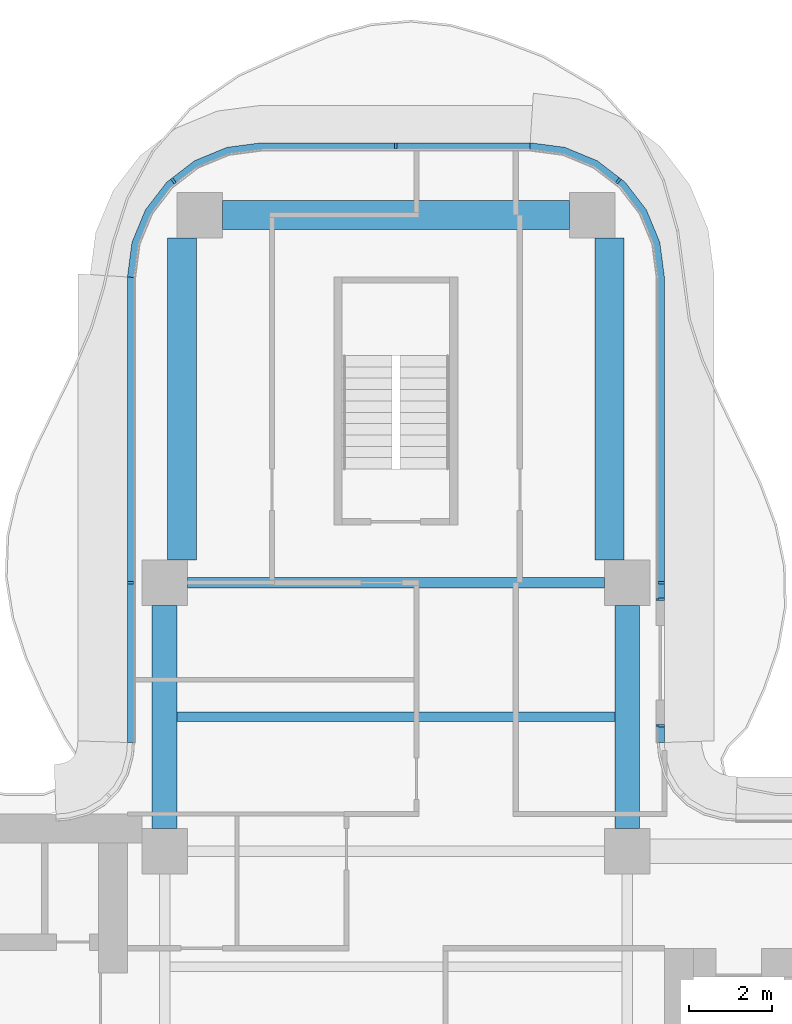
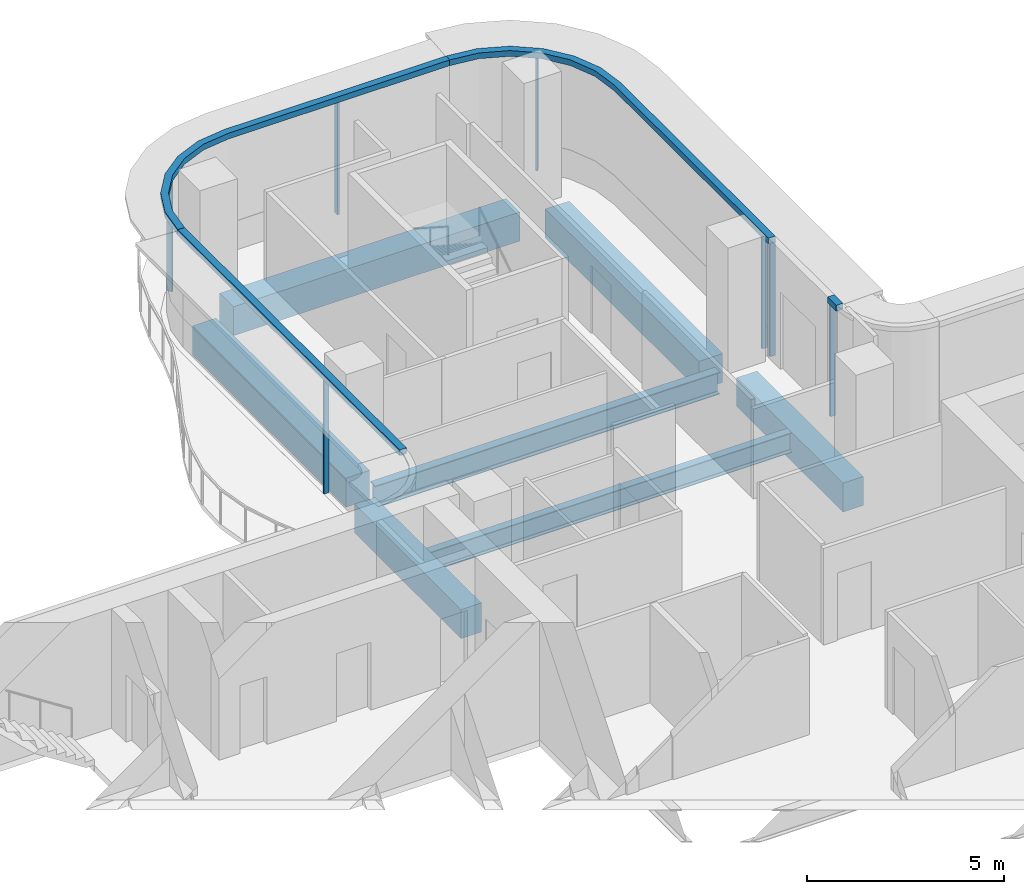
# One storey, part 7 of 16: 11 members, 7 beams, 4 elements without a shape of their own.
"""IFC4 building model written with IfcOpenShell, lengths in metres."""

import ifcopenshell
import ifcopenshell.guid

model = None  # the IFC model being written
_history = None  # IfcOwnerHistory: only IFC2X3 demands one
_inside = {}  # id of a spatial element -> (the spatial element, [elements in it])
_under = {}  # id of a project, library or spatial element -> (it, [spatial elements below it])
_declared = {}  # id of a project -> (the project, [libraries it declares])
_typed = {}  # id of a type object -> (the type object, [elements of that type])
_made_of = {}  # id of a material, layer set ... -> (it, [elements and type objects made of it])


def new_model(schema):
    """Start an empty IFC model of exactly this schema.

    Asked for "IFC4X3", IfcOpenShell would pick the latest addendum, in which some entities
    have other attributes; the version numbers below select the first issue.
    IFC2X3 requires an IfcOwnerHistory on every rooted entity: one is made here for all.
    """
    global model, _history
    if schema == "IFC4X3":
        model = ifcopenshell.file(schema_version=(4, 3, 0, 0))
    else:
        model = ifcopenshell.file(schema=schema)
    _inside.clear()
    _under.clear()
    _declared.clear()
    _typed.clear()
    _made_of.clear()
    _history = None
    if model.schema == "IFC2X3":
        org = make("IfcOrganization", Name="unknown")
        user = make(
            "IfcPersonAndOrganization",
            ThePerson=make("IfcPerson", FamilyName="unknown"),
            TheOrganization=org,
        )
        app = make(
            "IfcApplication",
            ApplicationDeveloper=org,
            Version="unknown",
            ApplicationFullName="unknown",
            ApplicationIdentifier="unknown",
        )
        _history = make(
            "IfcOwnerHistory",
            OwningUser=user,
            OwningApplication=app,
            ChangeAction="ADDED",
            CreationDate=0,
        )
    return model


def make(cls, **values):
    """One entity of the class cls with the attributes given. An attribute that is None is left unset."""
    return model.create_entity(
        cls, **{name: value for name, value in values.items() if value is not None}
    )


def rooted(cls, **values):
    """An entity with a GlobalId (a new one), such as an element, a storey or a relation."""
    return make(cls, GlobalId=ifcopenshell.guid.new(), OwnerHistory=_history, **values)


def si_unit(unit_type, name, prefix=None):
    """IfcSIUnit, for example si_unit("LENGTHUNIT", "METRE", prefix="MILLI")."""
    return make("IfcSIUnit", UnitType=unit_type, Prefix=prefix, Name=name)


def assignment(units):
    """IfcUnitAssignment: the units of a project."""
    return None if units is None else make("IfcUnitAssignment", Units=units)


def point(xyz):
    """IfcCartesianPoint."""
    return None if xyz is None else make("IfcCartesianPoint", Coordinates=xyz)


def direction(xyz):
    """IfcDirection."""
    return None if xyz is None else make("IfcDirection", DirectionRatios=xyz)


def frame(location, z_axis=None, x_axis=None):
    """IfcAxis2Placement3D, a coordinate frame: its origin and axes. An axis left out is left unset."""
    return make(
        "IfcAxis2Placement3D",
        Location=point(location),
        Axis=direction(z_axis),
        RefDirection=direction(x_axis),
    )


def frame_2d(location, x_axis=None):
    """IfcAxis2Placement2D, a coordinate frame in the plane: its origin and x axis."""
    return make(
        "IfcAxis2Placement2D", Location=point(location), RefDirection=direction(x_axis)
    )


def origin():
    """The frame at (0, 0, 0) with its axes left unset."""
    return frame((0.0, 0.0, 0.0))


def origin_2d():
    """The frame at (0, 0) in the plane with its x axis left unset."""
    return frame_2d((0.0, 0.0))


def place(relative_to, where):
    """IfcLocalPlacement: puts the frame where relative to a parent placement (None: the world)."""
    return make(
        "IfcLocalPlacement", PlacementRelTo=relative_to, RelativePlacement=where
    )


def context(
    kind, dimensions, precision=None, world=None, true_north=None, identifier=None
):
    """IfcGeometricRepresentationContext, for example the 3D "Model" context."""
    return make(
        "IfcGeometricRepresentationContext",
        ContextIdentifier=identifier,
        ContextType=kind,
        CoordinateSpaceDimension=dimensions,
        Precision=precision,
        WorldCoordinateSystem=world,
        TrueNorth=true_north,
    )


def subcontext(parent, identifier, kind, view, scale=None):
    """IfcGeometricRepresentationSubContext, for example "Body" below "Model"."""
    return make(
        "IfcGeometricRepresentationSubContext",
        ContextIdentifier=identifier,
        ContextType=kind,
        ParentContext=parent,
        TargetScale=scale,
        TargetView=view,
    )


def project(units=None, contexts=None):
    """IfcProject with its units and contexts."""
    return rooted(
        "IfcProject",
        Name="project",
        RepresentationContexts=contexts,
        UnitsInContext=assignment(units),
    )


def spatial(cls, under=None, at=None, **own):
    """A site, building, storey or space (cls), placed at a placement, below another one or the project."""
    s = rooted(cls, ObjectPlacement=at, **own)
    if under is not None:
        _under.setdefault(under.id(), (under, []))[1].append(s)
    return s


def polyline(points):
    """IfcPolyline through the points."""
    return make("IfcPolyline", Points=[point(p) for p in points])


def profile(cls, at=None, kind="AREA", **sizes):
    """A parametric profile (cls). Its sizes go by their IFC names, for example OverallWidth=200.0."""
    return make(cls, ProfileType=kind, Position=at, **sizes)


def rectangle(**sizes):
    """IfcRectangleProfileDef."""
    return profile("IfcRectangleProfileDef", **sizes)


def i_section(**sizes):
    """IfcIShapeProfileDef."""
    return profile("IfcIShapeProfileDef", **sizes)


def outline(outer, holes=None, kind="AREA"):
    """IfcArbitraryClosedProfileDef: a profile drawn as a closed curve; with holes, ...WithVoids."""
    if holes is None:
        return make("IfcArbitraryClosedProfileDef", ProfileType=kind, OuterCurve=outer)
    return make(
        "IfcArbitraryProfileDefWithVoids",
        ProfileType=kind,
        OuterCurve=outer,
        InnerCurves=holes,
    )


def extrude(swept, where, along, depth):
    """IfcExtrudedAreaSolid: the profile swept, set in the frame where, extruded along a direction by depth."""
    return make(
        "IfcExtrudedAreaSolid",
        SweptArea=swept,
        Position=where,
        ExtrudedDirection=direction(along),
        Depth=depth,
    )


def shape(context_of_items, identifier, shape_type, items):
    """IfcShapeRepresentation: the items that make up one representation, for example the "Body"."""
    return make(
        "IfcShapeRepresentation",
        ContextOfItems=context_of_items,
        RepresentationIdentifier=identifier,
        RepresentationType=shape_type,
        Items=items,
    )


def source(mapping_origin, context_of_items, identifier, shape_type, items):
    """IfcRepresentationMap: a shape defined once, which mapped items show again and again."""
    return make(
        "IfcRepresentationMap",
        MappingOrigin=mapping_origin,
        MappedRepresentation=shape(context_of_items, identifier, shape_type, items),
    )


def transform(
    local_origin,
    x_axis=None,
    y_axis=None,
    z_axis=None,
    scale=None,
    scale2=None,
    scale3=None,
    uniform=True,
):
    """IfcCartesianTransformationOperator3D, or its non-uniform kind. x_axis, y_axis, z_axis: its Axis1, 2, 3."""
    if uniform:
        return make(
            "IfcCartesianTransformationOperator3D",
            Axis1=direction(x_axis),
            Axis2=direction(y_axis),
            LocalOrigin=point(local_origin),
            Scale=scale,
            Axis3=direction(z_axis),
        )
    return make(
        "IfcCartesianTransformationOperator3DnonUniform",
        Axis1=direction(x_axis),
        Axis2=direction(y_axis),
        LocalOrigin=point(local_origin),
        Scale=scale,
        Axis3=direction(z_axis),
        Scale2=scale2,
        Scale3=scale3,
    )


def mapped(mapping_source, mapping_target):
    """IfcMappedItem: shows the shape of a source again, moved by a transform."""
    return make(
        "IfcMappedItem", MappingSource=mapping_source, MappingTarget=mapping_target
    )


def material(Name=None, Category=None):
    """IfcMaterial."""
    return make("IfcMaterial", Name=Name, Category=Category)


def layer(
    of_material, thickness, ventilated=None, Name=None, Category=None, Priority=None
):
    """IfcMaterialLayer: one layer of a wall or slab, of a material (None: an air gap)."""
    return make(
        "IfcMaterialLayer",
        Material=of_material,
        LayerThickness=thickness,
        IsVentilated=ventilated,
        Name=Name,
        Category=Category,
        Priority=Priority,
    )


def layer_set(layers, Name=None):
    """IfcMaterialLayerSet."""
    return make("IfcMaterialLayerSet", MaterialLayers=layers, LayerSetName=Name)


def material_profile(
    of_material, cross_section, Name=None, Category=None, Priority=None
):
    """IfcMaterialProfile: a cross section and its material."""
    return make(
        "IfcMaterialProfile",
        Name=Name,
        Material=of_material,
        Profile=cross_section,
        Priority=Priority,
        Category=Category,
    )


def profile_set(profiles, Name=None, composite=None):
    """IfcMaterialProfileSet."""
    return make(
        "IfcMaterialProfileSet",
        Name=Name,
        MaterialProfiles=profiles,
        CompositeProfile=composite,
    )


def made_of(thing, what):
    """Note that an element or type object is made of a material, layer set ...; save() writes the relation."""
    if what is not None:
        _made_of.setdefault(what.id(), (what, []))[1].append(thing)
    return thing


def type_object(cls, material=None, **own):
    """A type object (cls), such as IfcWallType, which elements share."""
    return made_of(rooted(cls, **own), material)


def element(
    cls,
    number,
    at=None,
    inside=None,
    cuts=None,
    type_object=None,
    material=None,
    context=None,
    identifier="Body",
    shape_type=None,
    held_by="IfcProductDefinitionShape",
    body=None,
    shapes=None,
    **own,
):
    """One element of the class cls, such as IfcWall. Its Tag is "e" and its number.

    at: its placement. inside: the storey or other place that contains it. cuts: it is an
    opening in that element (IfcRelVoidsElement). A single representation is given by context,
    identifier, shape_type and body (its items); several are given by shapes. held_by: the class
    of the entity that holds the representations. save() writes the other relations.
    """
    e = rooted(cls, Tag="e%d" % number, ObjectPlacement=at, **own)
    if body is not None:
        shapes = [shape(context, identifier, shape_type, body)]
    if shapes is not None:
        e.Representation = make(held_by, Representations=shapes)
    if inside is not None:
        _inside.setdefault(inside.id(), (inside, []))[1].append(e)
    if cuts is not None:
        rooted(
            "IfcRelVoidsElement", RelatingBuildingElement=cuts, RelatedOpeningElement=e
        )
    if type_object is not None:
        _typed.setdefault(type_object.id(), (type_object, []))[1].append(e)
    return made_of(e, material)


def aggregate(whole, parts):
    """IfcRelAggregates: a whole, such as a stair, and the parts it consists of."""
    return rooted("IfcRelAggregates", RelatingObject=whole, RelatedObjects=parts)


def save(model, path):
    """Write the relations noted so far, then the file.

    IfcRelAggregates (storeys below a building ...), IfcRelContainedInSpatialStructure (elements
    in a storey), IfcRelDefinesByType, IfcRelAssociatesMaterial and IfcRelDeclares: one each for
    every whole, place, type object, material and project.
    """
    for whole, parts in _under.values():
        aggregate(whole, parts)
    for where, things in _inside.values():
        rooted(
            "IfcRelContainedInSpatialStructure",
            RelatedElements=things,
            RelatingStructure=where,
        )
    for kind, things in _typed.values():
        rooted("IfcRelDefinesByType", RelatedObjects=things, RelatingType=kind)
    for what, things in _made_of.values():
        rooted("IfcRelAssociatesMaterial", RelatedObjects=things, RelatingMaterial=what)
    for by, libraries in _declared.values():
        rooted("IfcRelDeclares", RelatingContext=by, RelatedDefinitions=libraries)
    model.write(path)


model = new_model("IFC4")

# Units and contexts
model_context = context("Model", 3, precision=1e-05, world=origin(), true_north=direction((0.0, 1.0)))
body_context = subcontext(model_context, "Body", "Model", "MODEL_VIEW")
ifc_project = project(units=[si_unit("LENGTHUNIT", "METRE"), si_unit("AREAUNIT", "SQUARE_METRE"), si_unit("VOLUMEUNIT", "CUBIC_METRE"), si_unit("PLANEANGLEUNIT", "RADIAN"), si_unit("MASSUNIT", "GRAM", prefix="KILO")], contexts=[model_context])

# Site, building, storey
site_placement = place(None, origin())
site = spatial("IfcSite", under=ifc_project, at=site_placement, CompositionType="ELEMENT")
building_placement = place(site_placement, origin())
building = spatial("IfcBuilding", under=site, at=building_placement, Name="Trellis Farm Tower", CompositionType="ELEMENT")
storey_placement = place(building_placement, frame((0.0, 0.0, 255.800048828125)))
storey = spatial("IfcBuildingStorey", under=building, at=storey_placement, Name="L57", CompositionType="ELEMENT", Elevation=255.800048828125)

# Beams
ifc_material_1 = material(Name="Steel S355", Category="steel")
ifc_material_profile_1 = material_profile(ifc_material_1, i_section(OverallWidth=0.22900390625, OverallDepth=0.6123046875, WebThickness=0.011962890625, FlangeThickness=0.01953125, FilletRadius=0.0126953125, at=origin_2d()), Name="UB 610x229x125")
ifc_profile_set_1 = profile_set([ifc_material_profile_1], Name="Steel S355")
beam_type_1 = type_object("IfcBeamType", Name="UB 610x229x125 joist", PredefinedType="JOIST", material=ifc_profile_set_1)
shared_shape_1 = source(origin(), body_context, "Body", "SweptSolid", [
    extrude(i_section(OverallWidth=0.22900390625, OverallDepth=0.6123046875, WebThickness=0.011962890625, FlangeThickness=0.01953125, FilletRadius=0.0126953125, at=origin_2d()), origin(), (0.0, 0.0, 1.0), 10.60009765625),
])
beam_1_placement = place(storey_placement, frame((-5.300048828125, 8.85009765625, -0.506103515625), z_axis=(1.0, 0.0, 0.0), x_axis=(0.0, 1.0, 0.0)))
element("IfcBeam", 1, at=beam_1_placement, inside=storey, type_object=beam_type_1, Name="Floor beam", PredefinedType="JOIST", context=body_context, shape_type="MappedRepresentation", body=[
    mapped(shared_shape_1, transform((0.0, 0.0, 0.0))),
])
ifc_material_profile_2 = material_profile(ifc_material_1, i_section(OverallWidth=0.253662109375, OverallDepth=0.68359375, WebThickness=0.012451171875, FlangeThickness=0.021728515625, FilletRadius=0.01513671875, at=origin_2d()), Name="UB 686x254x140")
ifc_profile_set_2 = profile_set([ifc_material_profile_2], Name="Steel S355")
beam_type_2 = type_object("IfcBeamType", Name="UB 686x254x140", PredefinedType="BEAM", material=ifc_profile_set_2)
shared_shape_2 = source(origin(), body_context, "Body", "SweptSolid", [
    extrude(i_section(OverallWidth=0.253662109375, OverallDepth=0.68359375, WebThickness=0.012451171875, FlangeThickness=0.021728515625, FilletRadius=0.01513671875, at=origin_2d()), origin(), (0.0, 0.0, 1.0), 10.10009765625),
])
beam_2_placement = place(storey_placement, frame((-5.050048828125, 12.10009765625, -0.541748046875), z_axis=(1.0, 0.0, 0.0), x_axis=(0.0, 1.0, 0.0)))
element("IfcBeam", 2, at=beam_2_placement, inside=storey, type_object=beam_type_2, Name="Girder", PredefinedType="BEAM", context=body_context, shape_type="MappedRepresentation", body=[
    mapped(shared_shape_2, transform((0.0, 0.0, 0.0))),
])
ifc_material_2 = material(Name="Concrete C60/75", Category="concrete")
ifc_material_profile_3 = material_profile(ifc_material_2, rectangle(XDim=0.60009765625, YDim=0.89990234375, at=origin_2d()), Name="RC spandrel beam 600x900 C60/75")
ifc_profile_set_3 = profile_set([ifc_material_profile_3], Name="Concrete C60/75")
beam_type_3 = type_object("IfcBeamType", Name="RC spandrel beam 600x900 C60/75", PredefinedType="SPANDREL", material=ifc_profile_set_3)
shared_shape_3 = source(origin(), body_context, "Body", "SweptSolid", [
    extrude(rectangle(XDim=0.60009765625, YDim=0.89990234375, at=origin_2d()), origin(), (0.0, 0.0, 1.0), 5.400146484375),
])
for number, where, z_axis, x_axis, name in (
    (3, (-5.60009765625, 6.14990234375, -0.650146484375), (0.0, 1.0, 0.0), (-1.0, 0.0, 0.0), "Girder"),
    (4, (5.60009765625, 6.14990234375, -0.650146484375), (0.0, 1.0, 0.0), (-1.0, 0.0, 0.0), "Girder"),
):
    element("IfcBeam", number, at=place(storey_placement, frame(where, z_axis=z_axis, x_axis=x_axis)), inside=storey, type_object=beam_type_3, Name=name, PredefinedType="SPANDREL", context=body_context, shape_type="MappedRepresentation", body=[
        mapped(shared_shape_3, transform((0.0, 0.0, 0.0))),
    ])
ifc_material_profile_4 = material_profile(ifc_material_2, rectangle(XDim=0.699951171875, YDim=0.89990234375, at=origin_2d()), Name="RC spandrel beam 700x900 C60/75")
ifc_profile_set_4 = profile_set([ifc_material_profile_4], Name="Concrete C60/75")
beam_type_4 = type_object("IfcBeamType", Name="RC spandrel beam 700x900 C60/75", PredefinedType="SPANDREL", material=ifc_profile_set_4)
shared_shape_4 = source(origin(), body_context, "Body", "SweptSolid", [
    extrude(rectangle(XDim=0.699951171875, YDim=0.89990234375, at=origin_2d()), origin(), (0.0, 0.0, 1.0), 8.39990234375),
])
beam_3_placement = place(storey_placement, frame((-4.199951171875, 21.0, -0.650146484375), z_axis=(1.0, 0.0, 0.0), x_axis=(0.0, 1.0, 0.0)))
element("IfcBeam", 5, at=beam_3_placement, inside=storey, type_object=beam_type_4, Name="Girder", PredefinedType="SPANDREL", context=body_context, shape_type="MappedRepresentation", body=[
    mapped(shared_shape_4, transform((0.0, 0.0, 0.0))),
])
shared_shape_5 = source(origin(), body_context, "Body", "SweptSolid", [
    extrude(rectangle(XDim=0.699951171875, YDim=0.89990234375, at=origin_2d()), origin(), (0.0, 0.0, 1.0), 7.800048828125),
])
for number, where, z_axis, x_axis, name in (
    (6, (-5.175048828125, 12.64990234375, -0.650146484375), (0.0, 1.0, 0.0), (-1.0, 0.0, 0.0), "Girder"),
    (7, (5.175048828125, 12.64990234375, -0.650146484375), (0.0, 1.0, 0.0), (-1.0, 0.0, 0.0), "Girder"),
):
    element("IfcBeam", number, at=place(storey_placement, frame(where, z_axis=z_axis, x_axis=x_axis)), inside=storey, type_object=beam_type_4, Name=name, PredefinedType="SPANDREL", context=body_context, shape_type="MappedRepresentation", body=[
        mapped(shared_shape_5, transform((0.0, 0.0, 0.0))),
    ])

# Curtain wall, member
ifc_material_3 = material(Name="Aluminium and glass curtain wall", Category="aluminium")
ifc_layer_1 = layer(ifc_material_3, 0.18994140625)
ifc_layer_set_1 = layer_set([ifc_layer_1], Name="RIBBON CURTAIN WALL CW1")
curtain_wall_type = type_object("IfcCurtainWallType", Name="RIBBON CURTAIN WALL CW1", PredefinedType="NOTDEFINED", material=ifc_layer_set_1)
placement_1 = place(storey_placement, origin())
curtain_wall_1 = element("IfcCurtainWall", 8, at=placement_1, inside=storey, type_object=curtain_wall_type, Name="CW1 008", PredefinedType="NOTDEFINED")
ifc_material_4 = material(Name="Aluminium extrusion 6063-T6", Category="aluminium")
ifc_material_profile_5 = material_profile(ifc_material_4, rectangle(XDim=0.06005859375, YDim=0.14990234375, at=origin_2d()), Name="MULLION 60x150")
ifc_profile_set_5 = profile_set([ifc_material_profile_5], Name="Aluminium extrusion 6063-T6")
member_type_1 = type_object("IfcMemberType", Name="CW1 MULLION 60x150", PredefinedType="MULLION", material=ifc_profile_set_5)
shared_shape_6 = source(origin(), body_context, "Body", "SweptSolid", [
    extrude(rectangle(XDim=0.06005859375, YDim=0.14990234375, at=origin_2d()), origin(), (0.0, 0.0, 1.0), 3.52001953125),
])
member_1_placement = place(storey_placement, frame((6.425048828125, 8.6357421875, 0.0), z_axis=(0.0, 0.0, 1.0), x_axis=(0.0, 1.0, 0.0)))
member_1 = element("IfcMember", 9, at=member_1_placement, type_object=member_type_1, Name="MU1 008-01", PredefinedType="MULLION", context=body_context, shape_type="MappedRepresentation", body=[
    mapped(shared_shape_6, transform((0.0, 0.0, 0.0))),
])

# Curtain wall, members
curtain_wall_2 = element("IfcCurtainWall", 10, at=placement_1, inside=storey, type_object=curtain_wall_type, Name="CW1 009", PredefinedType="NOTDEFINED")
member_2_placement = place(storey_placement, frame((6.425048828125, 11.69580078125, 0.0), z_axis=(0.0, 0.0, 1.0), x_axis=(0.0, 1.0, 0.0)))
member_2 = element("IfcMember", 11, at=member_2_placement, type_object=member_type_1, Name="MU1 009-01", PredefinedType="MULLION", context=body_context, shape_type="MappedRepresentation", body=[
    mapped(shared_shape_6, transform((0.0, 0.0, 0.0))),
])
member_3_placement = place(storey_placement, frame((6.425048828125, 12.10009765625, 0.0), z_axis=(0.0, 0.0, 1.0), x_axis=(0.0, 1.0, 0.0)))
member_3 = element("IfcMember", 12, at=member_3_placement, type_object=member_type_1, Name="MU1 009-02", PredefinedType="MULLION", context=body_context, shape_type="MappedRepresentation", body=[
    mapped(shared_shape_6, transform((0.0, 0.0, 0.0))),
])
member_4_placement = place(storey_placement, frame((5.385498046875, 21.828369140625, 0.0), z_axis=(0.0, 0.0, 1.0), x_axis=(-0.793353340291, 0.608761429009, 0.0)))
member_4 = element("IfcMember", 13, at=member_4_placement, type_object=member_type_1, Name="MU1 009-03", PredefinedType="MULLION", context=body_context, shape_type="MappedRepresentation", body=[
    mapped(shared_shape_6, transform((0.0, 0.0, 0.0))),
])

curtain_wall_3 = element("IfcCurtainWall", 14, at=placement_1, inside=storey, type_object=curtain_wall_type, Name="CW1 010", PredefinedType="NOTDEFINED")
member_5_placement = place(storey_placement, frame((0.0, 22.675048828125, 0.0), z_axis=(0.0, 0.0, 1.0), x_axis=(-1.0, 0.0, 0.0)))
member_5 = element("IfcMember", 15, at=member_5_placement, type_object=member_type_1, Name="MU1 010-01", PredefinedType="MULLION", context=body_context, shape_type="MappedRepresentation", body=[
    mapped(shared_shape_6, transform((0.0, 0.0, 0.0))),
])
member_6_placement = place(storey_placement, frame((-5.385498046875, 21.828369140625, 0.0), z_axis=(0.0, 0.0, 1.0), x_axis=(-0.793353340291, -0.608761429009, 0.0)))
member_6 = element("IfcMember", 16, at=member_6_placement, type_object=member_type_1, Name="MU1 010-02", PredefinedType="MULLION", context=body_context, shape_type="MappedRepresentation", body=[
    mapped(shared_shape_6, transform((0.0, 0.0, 0.0))),
])

# Curtain wall, member
curtain_wall_4 = element("IfcCurtainWall", 17, at=placement_1, inside=storey, type_object=curtain_wall_type, Name="CW1 011", PredefinedType="NOTDEFINED")
member_7_placement = place(storey_placement, frame((-6.425048828125, 12.10009765625, 0.0), z_axis=(0.0, 0.0, 1.0), x_axis=(0.0, -1.0, 0.0)))
member_7 = element("IfcMember", 18, at=member_7_placement, type_object=member_type_1, Name="MU1 011-01", PredefinedType="MULLION", context=body_context, shape_type="MappedRepresentation", body=[
    mapped(shared_shape_6, transform((0.0, 0.0, 0.0))),
])

# Member
ifc_layer_2 = layer(ifc_material_4, 0.199951171875)
ifc_layer_set_2 = layer_set([ifc_layer_2], Name="Aluminium extrusion 6063-T6")
member_type_2 = type_object("IfcMemberType", Name="CW1 TRANSOM 200x180", PredefinedType="USERDEFINED", material=ifc_layer_set_2)
shared_shape_7 = source(origin(), body_context, "Body", "SweptSolid", [
    extrude(outline(polyline([(3.25, 22.75), (-3.25, 22.75), (-4.091064453125, 22.63916015625), (-4.875, 22.314697265625), (-5.548095703125, 21.798095703125), (-6.064697265625, 21.125), (-6.38916015625, 20.341064453125), (-6.5, 19.5), (-6.300048828125, 19.48681640625), (-6.1943359375, 20.2890625), (-5.889892578125, 21.024169921875), (-5.405517578125, 21.655517578125), (-4.774169921875, 22.139892578125), (-4.0390625, 22.4443359375), (-3.23681640625, 22.550048828125), (3.23681640625, 22.550048828125), (3.25, 22.75)])), origin(), (0.0, 0.0, 1.0), 0.179931640625),
])
placement_2 = place(storey_placement, frame((0.0, 0.0, 3.52001953125)))
member_8 = element("IfcMember", 19, at=placement_2, type_object=member_type_2, Name="TR1 010", ObjectType="TRANSOM", PredefinedType="USERDEFINED", context=body_context, shape_type="MappedRepresentation", body=[
    mapped(shared_shape_7, transform((0.0, 0.0, 0.0))),
])

aggregate(curtain_wall_3, [member_5, member_6, member_8])

shared_shape_8 = source(origin(), body_context, "Body", "SweptSolid", [
    extrude(outline(polyline([(-6.5, 19.5), (-6.5, 8.2314453125), (-6.300048828125, 8.224853515625), (-6.300048828125, 19.48681640625), (-6.5, 19.5)])), origin(), (0.0, 0.0, 1.0), 0.179931640625),
])
member_9 = element("IfcMember", 20, at=placement_2, type_object=member_type_2, Name="TR1 011", ObjectType="TRANSOM", PredefinedType="USERDEFINED", context=body_context, shape_type="MappedRepresentation", body=[
    mapped(shared_shape_8, transform((0.0, 0.0, 0.0))),
])

aggregate(curtain_wall_4, [member_7, member_9])

shared_shape_9 = source(origin(), body_context, "Body", "SweptSolid", [
    extrude(outline(polyline([(6.5, 8.2314453125), (6.5, 8.665771484375), (6.300048828125, 8.665771484375), (6.300048828125, 8.224853515625), (6.5, 8.2314453125)])), origin(), (0.0, 0.0, 1.0), 0.179931640625),
])
member_10 = element("IfcMember", 21, at=placement_2, type_object=member_type_2, Name="TR1 008", ObjectType="TRANSOM", PredefinedType="USERDEFINED", context=body_context, shape_type="MappedRepresentation", body=[
    mapped(shared_shape_9, transform((0.0, 0.0, 0.0))),
])

aggregate(curtain_wall_1, [member_1, member_10])

shared_shape_10 = source(origin(), body_context, "Body", "SweptSolid", [
    extrude(outline(polyline([(6.5, 11.665771484375), (6.5, 19.5), (6.38916015625, 20.341064453125), (6.064697265625, 21.125), (5.548095703125, 21.798095703125), (4.875, 22.314697265625), (4.091064453125, 22.63916015625), (3.25, 22.75), (3.23681640625, 22.550048828125), (4.0390625, 22.4443359375), (4.774169921875, 22.139892578125), (5.405517578125, 21.655517578125), (5.889892578125, 21.024169921875), (6.1943359375, 20.2890625), (6.300048828125, 19.48681640625), (6.300048828125, 11.665771484375), (6.5, 11.665771484375)])), origin(), (0.0, 0.0, 1.0), 0.179931640625),
])
member_11 = element("IfcMember", 22, at=placement_2, type_object=member_type_2, Name="TR1 009", ObjectType="TRANSOM", PredefinedType="USERDEFINED", context=body_context, shape_type="MappedRepresentation", body=[
    mapped(shared_shape_10, transform((0.0, 0.0, 0.0))),
])

aggregate(curtain_wall_2, [member_2, member_3, member_4, member_11])

save(model, "model.ifc")
